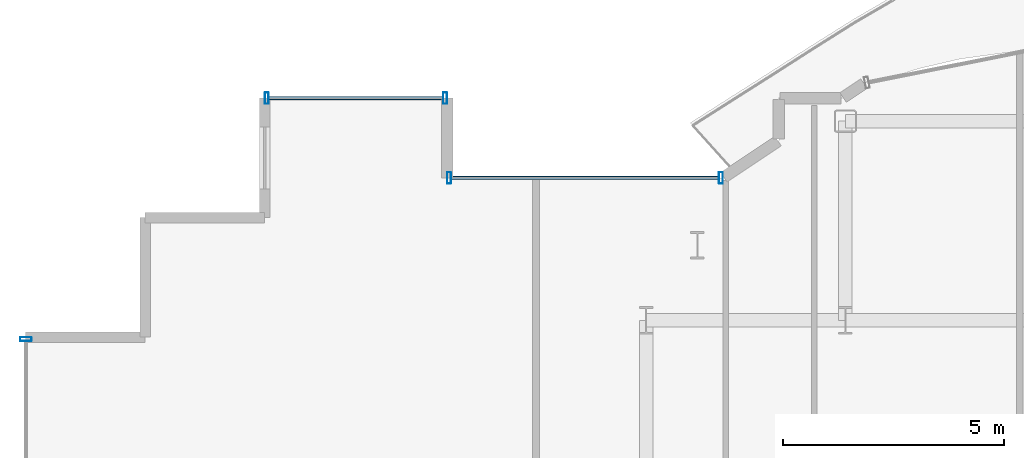
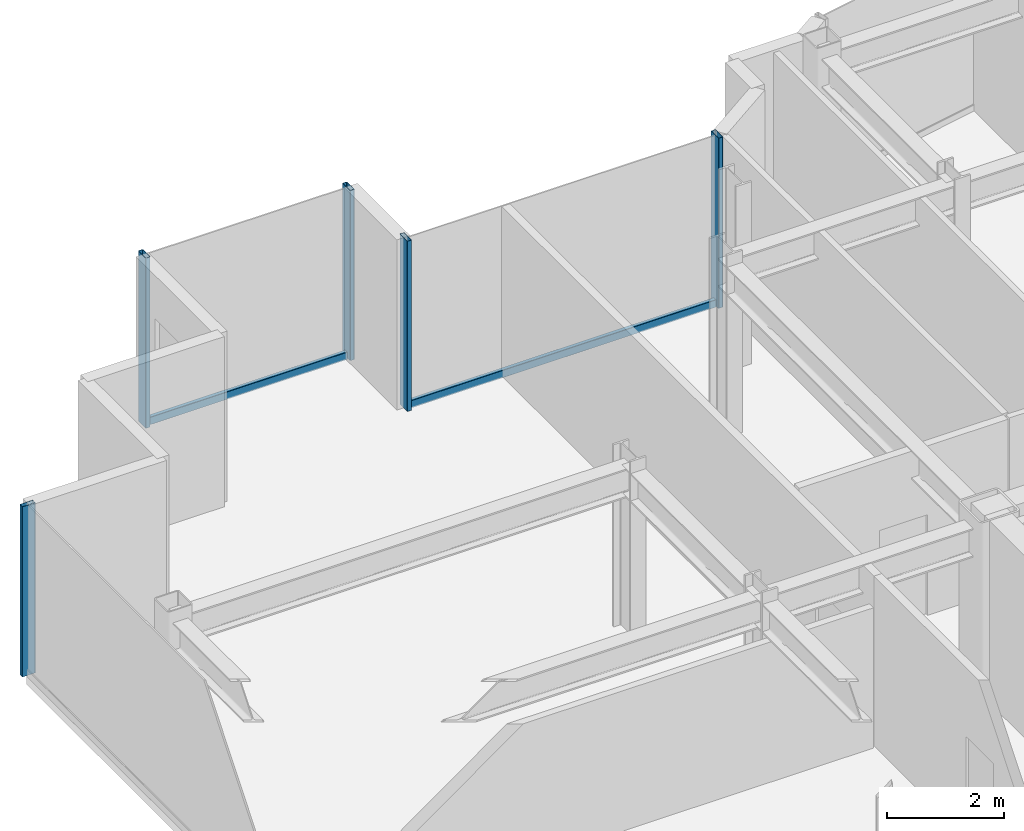
# One storey, part 9 of 18: 7 members, 3 elements without a shape of their own.
"""IFC4 building model written with IfcOpenShell, lengths in metres."""

import ifcopenshell
import ifcopenshell.guid

model = None  # the IFC model being written
_history = None  # IfcOwnerHistory: only IFC2X3 demands one
_inside = {}  # id of a spatial element -> (the spatial element, [elements in it])
_under = {}  # id of a project, library or spatial element -> (it, [spatial elements below it])
_declared = {}  # id of a project -> (the project, [libraries it declares])
_typed = {}  # id of a type object -> (the type object, [elements of that type])
_made_of = {}  # id of a material, layer set ... -> (it, [elements and type objects made of it])


def new_model(schema):
    """Start an empty IFC model of exactly this schema.

    Asked for "IFC4X3", IfcOpenShell would pick the latest addendum, in which some entities
    have other attributes; the version numbers below select the first issue.
    IFC2X3 requires an IfcOwnerHistory on every rooted entity: one is made here for all.
    """
    global model, _history
    if schema == "IFC4X3":
        model = ifcopenshell.file(schema_version=(4, 3, 0, 0))
    else:
        model = ifcopenshell.file(schema=schema)
    _inside.clear()
    _under.clear()
    _declared.clear()
    _typed.clear()
    _made_of.clear()
    _history = None
    if model.schema == "IFC2X3":
        org = make("IfcOrganization", Name="unknown")
        user = make(
            "IfcPersonAndOrganization",
            ThePerson=make("IfcPerson", FamilyName="unknown"),
            TheOrganization=org,
        )
        app = make(
            "IfcApplication",
            ApplicationDeveloper=org,
            Version="unknown",
            ApplicationFullName="unknown",
            ApplicationIdentifier="unknown",
        )
        _history = make(
            "IfcOwnerHistory",
            OwningUser=user,
            OwningApplication=app,
            ChangeAction="ADDED",
            CreationDate=0,
        )
    return model


def make(cls, **values):
    """One entity of the class cls with the attributes given. An attribute that is None is left unset."""
    return model.create_entity(
        cls, **{name: value for name, value in values.items() if value is not None}
    )


def rooted(cls, **values):
    """An entity with a GlobalId (a new one), such as an element, a storey or a relation."""
    return make(cls, GlobalId=ifcopenshell.guid.new(), OwnerHistory=_history, **values)


def si_unit(unit_type, name, prefix=None):
    """IfcSIUnit, for example si_unit("LENGTHUNIT", "METRE", prefix="MILLI")."""
    return make("IfcSIUnit", UnitType=unit_type, Prefix=prefix, Name=name)


def assignment(units):
    """IfcUnitAssignment: the units of a project."""
    return None if units is None else make("IfcUnitAssignment", Units=units)


def point(xyz):
    """IfcCartesianPoint."""
    return None if xyz is None else make("IfcCartesianPoint", Coordinates=xyz)


def direction(xyz):
    """IfcDirection."""
    return None if xyz is None else make("IfcDirection", DirectionRatios=xyz)


def frame(location, z_axis=None, x_axis=None):
    """IfcAxis2Placement3D, a coordinate frame: its origin and axes. An axis left out is left unset."""
    return make(
        "IfcAxis2Placement3D",
        Location=point(location),
        Axis=direction(z_axis),
        RefDirection=direction(x_axis),
    )


def frame_2d(location, x_axis=None):
    """IfcAxis2Placement2D, a coordinate frame in the plane: its origin and x axis."""
    return make(
        "IfcAxis2Placement2D", Location=point(location), RefDirection=direction(x_axis)
    )


def origin():
    """The frame at (0, 0, 0) with its axes left unset."""
    return frame((0.0, 0.0, 0.0))


def origin_2d():
    """The frame at (0, 0) in the plane with its x axis left unset."""
    return frame_2d((0.0, 0.0))


def place(relative_to, where):
    """IfcLocalPlacement: puts the frame where relative to a parent placement (None: the world)."""
    return make(
        "IfcLocalPlacement", PlacementRelTo=relative_to, RelativePlacement=where
    )


def context(
    kind, dimensions, precision=None, world=None, true_north=None, identifier=None
):
    """IfcGeometricRepresentationContext, for example the 3D "Model" context."""
    return make(
        "IfcGeometricRepresentationContext",
        ContextIdentifier=identifier,
        ContextType=kind,
        CoordinateSpaceDimension=dimensions,
        Precision=precision,
        WorldCoordinateSystem=world,
        TrueNorth=true_north,
    )


def subcontext(parent, identifier, kind, view, scale=None):
    """IfcGeometricRepresentationSubContext, for example "Body" below "Model"."""
    return make(
        "IfcGeometricRepresentationSubContext",
        ContextIdentifier=identifier,
        ContextType=kind,
        ParentContext=parent,
        TargetScale=scale,
        TargetView=view,
    )


def project(units=None, contexts=None):
    """IfcProject with its units and contexts."""
    return rooted(
        "IfcProject",
        Name="project",
        RepresentationContexts=contexts,
        UnitsInContext=assignment(units),
    )


def spatial(cls, under=None, at=None, **own):
    """A site, building, storey or space (cls), placed at a placement, below another one or the project."""
    s = rooted(cls, ObjectPlacement=at, **own)
    if under is not None:
        _under.setdefault(under.id(), (under, []))[1].append(s)
    return s


def profile(cls, at=None, kind="AREA", **sizes):
    """A parametric profile (cls). Its sizes go by their IFC names, for example OverallWidth=200.0."""
    return make(cls, ProfileType=kind, Position=at, **sizes)


def hollow_rectangle(**sizes):
    """IfcRectangleHollowProfileDef."""
    return profile("IfcRectangleHollowProfileDef", **sizes)


def extrude(swept, where, along, depth):
    """IfcExtrudedAreaSolid: the profile swept, set in the frame where, extruded along a direction by depth."""
    return make(
        "IfcExtrudedAreaSolid",
        SweptArea=swept,
        Position=where,
        ExtrudedDirection=direction(along),
        Depth=depth,
    )


def shape(context_of_items, identifier, shape_type, items):
    """IfcShapeRepresentation: the items that make up one representation, for example the "Body"."""
    return make(
        "IfcShapeRepresentation",
        ContextOfItems=context_of_items,
        RepresentationIdentifier=identifier,
        RepresentationType=shape_type,
        Items=items,
    )


def source(mapping_origin, context_of_items, identifier, shape_type, items):
    """IfcRepresentationMap: a shape defined once, which mapped items show again and again."""
    return make(
        "IfcRepresentationMap",
        MappingOrigin=mapping_origin,
        MappedRepresentation=shape(context_of_items, identifier, shape_type, items),
    )


def transform(
    local_origin,
    x_axis=None,
    y_axis=None,
    z_axis=None,
    scale=None,
    scale2=None,
    scale3=None,
    uniform=True,
):
    """IfcCartesianTransformationOperator3D, or its non-uniform kind. x_axis, y_axis, z_axis: its Axis1, 2, 3."""
    if uniform:
        return make(
            "IfcCartesianTransformationOperator3D",
            Axis1=direction(x_axis),
            Axis2=direction(y_axis),
            LocalOrigin=point(local_origin),
            Scale=scale,
            Axis3=direction(z_axis),
        )
    return make(
        "IfcCartesianTransformationOperator3DnonUniform",
        Axis1=direction(x_axis),
        Axis2=direction(y_axis),
        LocalOrigin=point(local_origin),
        Scale=scale,
        Axis3=direction(z_axis),
        Scale2=scale2,
        Scale3=scale3,
    )


def mapped(mapping_source, mapping_target):
    """IfcMappedItem: shows the shape of a source again, moved by a transform."""
    return make(
        "IfcMappedItem", MappingSource=mapping_source, MappingTarget=mapping_target
    )


def material(Name=None, Category=None):
    """IfcMaterial."""
    return make("IfcMaterial", Name=Name, Category=Category)


def layer(
    of_material, thickness, ventilated=None, Name=None, Category=None, Priority=None
):
    """IfcMaterialLayer: one layer of a wall or slab, of a material (None: an air gap)."""
    return make(
        "IfcMaterialLayer",
        Material=of_material,
        LayerThickness=thickness,
        IsVentilated=ventilated,
        Name=Name,
        Category=Category,
        Priority=Priority,
    )


def layer_set(layers, Name=None):
    """IfcMaterialLayerSet."""
    return make("IfcMaterialLayerSet", MaterialLayers=layers, LayerSetName=Name)


def material_profile(
    of_material, cross_section, Name=None, Category=None, Priority=None
):
    """IfcMaterialProfile: a cross section and its material."""
    return make(
        "IfcMaterialProfile",
        Name=Name,
        Material=of_material,
        Profile=cross_section,
        Priority=Priority,
        Category=Category,
    )


def profile_set(profiles, Name=None, composite=None):
    """IfcMaterialProfileSet."""
    return make(
        "IfcMaterialProfileSet",
        Name=Name,
        MaterialProfiles=profiles,
        CompositeProfile=composite,
    )


def made_of(thing, what):
    """Note that an element or type object is made of a material, layer set ...; save() writes the relation."""
    if what is not None:
        _made_of.setdefault(what.id(), (what, []))[1].append(thing)
    return thing


def type_object(cls, material=None, **own):
    """A type object (cls), such as IfcWallType, which elements share."""
    return made_of(rooted(cls, **own), material)


def element(
    cls,
    number,
    at=None,
    inside=None,
    cuts=None,
    type_object=None,
    material=None,
    context=None,
    identifier="Body",
    shape_type=None,
    held_by="IfcProductDefinitionShape",
    body=None,
    shapes=None,
    **own,
):
    """One element of the class cls, such as IfcWall. Its Tag is "e" and its number.

    at: its placement. inside: the storey or other place that contains it. cuts: it is an
    opening in that element (IfcRelVoidsElement). A single representation is given by context,
    identifier, shape_type and body (its items); several are given by shapes. held_by: the class
    of the entity that holds the representations. save() writes the other relations.
    """
    e = rooted(cls, Tag="e%d" % number, ObjectPlacement=at, **own)
    if body is not None:
        shapes = [shape(context, identifier, shape_type, body)]
    if shapes is not None:
        e.Representation = make(held_by, Representations=shapes)
    if inside is not None:
        _inside.setdefault(inside.id(), (inside, []))[1].append(e)
    if cuts is not None:
        rooted(
            "IfcRelVoidsElement", RelatingBuildingElement=cuts, RelatedOpeningElement=e
        )
    if type_object is not None:
        _typed.setdefault(type_object.id(), (type_object, []))[1].append(e)
    return made_of(e, material)


def aggregate(whole, parts):
    """IfcRelAggregates: a whole, such as a stair, and the parts it consists of."""
    return rooted("IfcRelAggregates", RelatingObject=whole, RelatedObjects=parts)


def save(model, path):
    """Write the relations noted so far, then the file.

    IfcRelAggregates (storeys below a building ...), IfcRelContainedInSpatialStructure (elements
    in a storey), IfcRelDefinesByType, IfcRelAssociatesMaterial and IfcRelDeclares: one each for
    every whole, place, type object, material and project.
    """
    for whole, parts in _under.values():
        aggregate(whole, parts)
    for where, things in _inside.values():
        rooted(
            "IfcRelContainedInSpatialStructure",
            RelatedElements=things,
            RelatingStructure=where,
        )
    for kind, things in _typed.values():
        rooted("IfcRelDefinesByType", RelatedObjects=things, RelatingType=kind)
    for what, things in _made_of.values():
        rooted("IfcRelAssociatesMaterial", RelatedObjects=things, RelatingMaterial=what)
    for by, libraries in _declared.values():
        rooted("IfcRelDeclares", RelatingContext=by, RelatedDefinitions=libraries)
    model.write(path)


model = new_model("IFC4")

# Units and contexts
model_context = context("Model", 3, precision=1e-05, world=origin(), true_north=direction((0.0, 1.0)))
body_context = subcontext(model_context, "Body", "Model", "MODEL_VIEW")
ifc_project = project(units=[si_unit("LENGTHUNIT", "METRE"), si_unit("AREAUNIT", "SQUARE_METRE"), si_unit("VOLUMEUNIT", "CUBIC_METRE"), si_unit("PLANEANGLEUNIT", "RADIAN"), si_unit("MASSUNIT", "GRAM", prefix="KILO")], contexts=[model_context])

# Site, building, storey
site_placement = place(None, origin())
site = spatial("IfcSite", under=ifc_project, at=site_placement, CompositionType="ELEMENT")
building_placement = place(site_placement, origin())
building = spatial("IfcBuilding", under=site, at=building_placement, Name="Nefas-Gora Pilgrimage Tower", CompositionType="ELEMENT")
storey_placement = place(building_placement, frame((0.0, 0.0, 295.0)))
storey = spatial("IfcBuildingStorey", under=building, at=storey_placement, Name="L74", CompositionType="ELEMENT", Elevation=295.0)

# Curtain wall, members
ifc_material_1 = material(Name="Dark ceramic-fritted solar-control aluminium-glass curtain wall", Category="aluminium")
ifc_layer_1 = layer(ifc_material_1, 0.219970703125)
ifc_layer_set_1 = layer_set([ifc_layer_1], Name="Dark ceramic-fritted solar-control aluminium-glass curtain wall")
curtain_wall_type_1 = type_object("IfcCurtainWallType", Name="CW-SYS-5", PredefinedType="NOTDEFINED", material=ifc_layer_set_1)
curtain_wall_1_placement = place(storey_placement, origin())
curtain_wall_1 = element("IfcCurtainWall", 1, at=curtain_wall_1_placement, inside=storey, type_object=curtain_wall_type_1, Name="L74 Unitised Curtain Wall CW5", PredefinedType="NOTDEFINED")
ifc_material_2 = material(Name="Anodised architectural aluminium", Category="aluminium")
ifc_material_profile_1 = material_profile(ifc_material_2, hollow_rectangle(XDim=0.090087890625, YDim=0.260009765625, WallThickness=0.006103515625, InnerFilletRadius=0.006103515625, OuterFilletRadius=0.011962890625, at=origin_2d()), Name="ALU MULLION 90x260")
ifc_profile_set_1 = profile_set([ifc_material_profile_1], Name="Anodised architectural aluminium")
member_type_1 = type_object("IfcMemberType", Name="CWM-MUL-5", PredefinedType="MULLION", material=ifc_profile_set_1)
shared_shape_1 = source(origin(), body_context, "Body", "SweptSolid", [
    extrude(hollow_rectangle(XDim=0.090087890625, YDim=0.260009765625, WallThickness=0.006103515625, InnerFilletRadius=0.006103515625, OuterFilletRadius=0.011962890625, at=origin_2d()), origin(), (0.0, 0.0, 1.0), 3.550048828125),
])
member_1_placement = place(storey_placement, frame((-9.56298828125, 21.219970703125, 0.0), z_axis=(0.0, 0.0, 1.0), x_axis=(-1.0, 0.0, 0.0)))
member_1 = element("IfcMember", 2, at=member_1_placement, type_object=member_type_1, Name="CW5 Mullion 1", PredefinedType="MULLION", context=body_context, shape_type="MappedRepresentation", body=[
    mapped(shared_shape_1, transform((0.0, 0.0, 0.0), x_axis=(1.0, 0.0, 0.0), y_axis=(0.0, 1.0, 0.0), z_axis=(0.0, 0.0, 1.0), scale=1.0)),
])
member_2_placement = place(storey_placement, frame((-15.705078125, 21.219970703125, 0.0), z_axis=(0.0, 0.0, 1.0), x_axis=(-1.0, 0.0, 0.0)))
member_2 = element("IfcMember", 3, at=member_2_placement, type_object=member_type_1, Name="CW5 Mullion 2", PredefinedType="MULLION", context=body_context, shape_type="MappedRepresentation", body=[
    mapped(shared_shape_1, transform((0.0, 0.0, 0.0), x_axis=(1.0, 0.0, 0.0), y_axis=(0.0, 1.0, 0.0), z_axis=(0.0, 0.0, 1.0), scale=1.0)),
])
ifc_material_profile_2 = material_profile(ifc_material_2, hollow_rectangle(XDim=0.080078125, YDim=0.159912109375, WallThickness=0.00439453125, InnerFilletRadius=0.00439453125, OuterFilletRadius=0.009033203125, at=origin_2d()), Name="ALU TRANSOM 80x160")
ifc_profile_set_2 = profile_set([ifc_material_profile_2], Name="Anodised architectural aluminium")
member_type_2 = type_object("IfcMemberType", Name="CWM-TRN-5", PredefinedType="USERDEFINED", material=ifc_profile_set_2)
shared_shape_2 = source(origin(), body_context, "Body", "SweptSolid", [
    extrude(hollow_rectangle(XDim=0.080078125, YDim=0.159912109375, WallThickness=0.00439453125, InnerFilletRadius=0.00439453125, OuterFilletRadius=0.009033203125, at=origin_2d()), origin(), (0.0, 0.0, 1.0), 6.052001953125),
])
member_3_placement = place(storey_placement, frame((-9.60791015625, 21.219970703125, 0.050048828125), z_axis=(-1.0, 0.0, 0.0), x_axis=(0.0, -1.0, 0.0)))
member_3 = element("IfcMember", 4, at=member_3_placement, type_object=member_type_2, Name="CW5 Spandrel Transom", ObjectType="TRANSOM", PredefinedType="USERDEFINED", context=body_context, shape_type="MappedRepresentation", body=[
    mapped(shared_shape_2, transform((0.0, 0.0, 0.0), x_axis=(1.0, 0.0, 0.0), y_axis=(0.0, 1.0, 0.0), z_axis=(0.0, 0.0, 1.0), scale=1.0)),
])
aggregate(curtain_wall_1, [member_1, member_2, member_3])

ifc_layer_2 = layer(ifc_material_1, 0.219970703125)
ifc_layer_set_2 = layer_set([ifc_layer_2], Name="Dark ceramic-fritted solar-control aluminium-glass curtain wall")
curtain_wall_type_2 = type_object("IfcCurtainWallType", Name="CW-SYS-4", PredefinedType="NOTDEFINED", material=ifc_layer_set_2)
curtain_wall_2_placement = place(storey_placement, origin())
curtain_wall_2 = element("IfcCurtainWall", 5, at=curtain_wall_2_placement, inside=storey, type_object=curtain_wall_type_2, Name="L74 Unitised Curtain Wall CW4", PredefinedType="NOTDEFINED")
ifc_material_profile_3 = material_profile(ifc_material_2, hollow_rectangle(XDim=0.080078125, YDim=0.159912109375, WallThickness=0.00439453125, InnerFilletRadius=0.00439453125, OuterFilletRadius=0.009033203125, at=origin_2d()), Name="ALU TRANSOM 80x160")
ifc_profile_set_3 = profile_set([ifc_material_profile_3], Name="Anodised architectural aluminium")
member_type_3 = type_object("IfcMemberType", Name="CWM-TRN-4", PredefinedType="USERDEFINED", material=ifc_profile_set_3)
shared_shape_3 = source(origin(), body_context, "Body", "SweptSolid", [
    extrude(hollow_rectangle(XDim=0.080078125, YDim=0.159912109375, WallThickness=0.00439453125, InnerFilletRadius=0.00439453125, OuterFilletRadius=0.009033203125, at=origin_2d()), origin(), (0.0, 0.0, 1.0), 3.93994140625),
])
member_4_placement = place(storey_placement, frame((-15.840087890625, 23.02001953125, 0.050048828125), z_axis=(-1.0, 0.0, 0.0), x_axis=(0.0, -1.0, 0.0)))
member_4 = element("IfcMember", 6, at=member_4_placement, type_object=member_type_3, Name="CW4 Spandrel Transom", ObjectType="TRANSOM", PredefinedType="USERDEFINED", context=body_context, shape_type="MappedRepresentation", body=[
    mapped(shared_shape_3, transform((0.0, 0.0, 0.0), x_axis=(1.0, 0.0, 0.0), y_axis=(0.0, 1.0, 0.0), z_axis=(0.0, 0.0, 1.0), scale=1.0)),
])
ifc_material_profile_4 = material_profile(ifc_material_2, hollow_rectangle(XDim=0.090087890625, YDim=0.260009765625, WallThickness=0.006103515625, InnerFilletRadius=0.006103515625, OuterFilletRadius=0.011962890625, at=origin_2d()), Name="ALU MULLION 90x260")
ifc_profile_set_4 = profile_set([ifc_material_profile_4], Name="Anodised architectural aluminium")
member_type_4 = type_object("IfcMemberType", Name="CWM-MUL-4", PredefinedType="MULLION", material=ifc_profile_set_4)
shared_shape_4 = source(origin(), body_context, "Body", "SweptSolid", [
    extrude(hollow_rectangle(XDim=0.090087890625, YDim=0.260009765625, WallThickness=0.006103515625, InnerFilletRadius=0.006103515625, OuterFilletRadius=0.011962890625, at=origin_2d()), origin(), (0.0, 0.0, 1.0), 3.550048828125),
])
member_5_placement = place(storey_placement, frame((-15.794921875, 23.02001953125, 0.0), z_axis=(0.0, 0.0, 1.0), x_axis=(-1.0, 0.0, 0.0)))
member_5 = element("IfcMember", 7, at=member_5_placement, type_object=member_type_4, Name="CW4 Mullion 1", PredefinedType="MULLION", context=body_context, shape_type="MappedRepresentation", body=[
    mapped(shared_shape_4, transform((0.0, 0.0, 0.0), x_axis=(1.0, 0.0, 0.0), y_axis=(0.0, 1.0, 0.0), z_axis=(0.0, 0.0, 1.0), scale=1.0)),
])
member_6_placement = place(storey_placement, frame((-19.824951171875, 23.02001953125, 0.0), z_axis=(0.0, 0.0, 1.0), x_axis=(-1.0, 0.0, 0.0)))
member_6 = element("IfcMember", 8, at=member_6_placement, type_object=member_type_4, Name="CW4 Mullion 2", PredefinedType="MULLION", context=body_context, shape_type="MappedRepresentation", body=[
    mapped(shared_shape_4, transform((0.0, 0.0, 0.0), x_axis=(1.0, 0.0, 0.0), y_axis=(0.0, 1.0, 0.0), z_axis=(0.0, 0.0, 1.0), scale=1.0)),
])
aggregate(curtain_wall_2, [member_5, member_6, member_4])

# Curtain wall, member
curtain_wall_3_placement = place(storey_placement, origin())
curtain_wall_3 = element("IfcCurtainWall", 9, at=curtain_wall_3_placement, inside=storey, type_object=curtain_wall_type_2, Name="L74 Unitised Curtain Wall CW4", PredefinedType="NOTDEFINED")
member_7_placement = place(storey_placement, frame((-25.27001953125, 17.574951171875, 0.0), z_axis=(0.0, 0.0, 1.0), x_axis=(0.0, -1.0, 0.0)))
member_7 = element("IfcMember", 10, at=member_7_placement, type_object=member_type_4, Name="CW4 Mullion 1", PredefinedType="MULLION", context=body_context, shape_type="MappedRepresentation", body=[
    mapped(shared_shape_4, transform((0.0, 0.0, 0.0), x_axis=(1.0, 0.0, 0.0), y_axis=(0.0, 1.0, 0.0), z_axis=(0.0, 0.0, 1.0), scale=1.0)),
])
aggregate(curtain_wall_3, [member_7])

save(model, "model.ifc")
